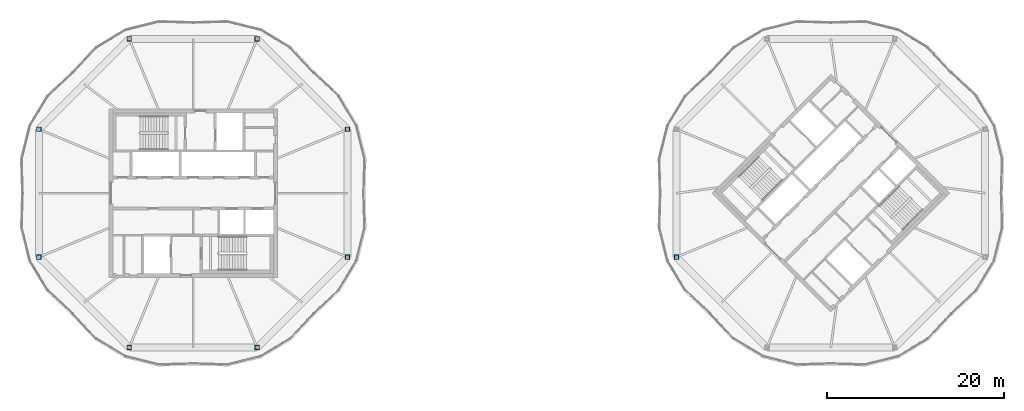
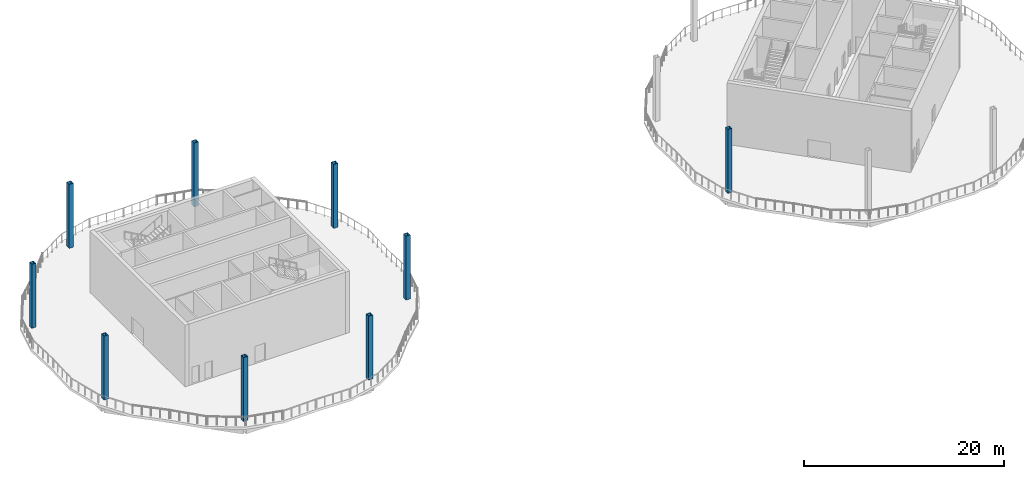
# One storey, part 1 of 12: 9 columns.
"""IFC4 building model written with IfcOpenShell, lengths in metres."""

from ifc_helpers import new_model, si_unit, direction, frame, origin, origin_2d, place, context, subcontext, project, spatial, hollow_rectangle, extrude, material, material_profile, profile_set, type_object, element, save


model = new_model("IFC4")

# Units and contexts
model_context = context("Model", 3, precision=1e-05, world=origin(), true_north=direction((0.0, 1.0)))
body_context = subcontext(model_context, "Body", "Model", "MODEL_VIEW")
ifc_project = project(units=[si_unit("LENGTHUNIT", "METRE"), si_unit("AREAUNIT", "SQUARE_METRE"), si_unit("VOLUMEUNIT", "CUBIC_METRE"), si_unit("PLANEANGLEUNIT", "RADIAN"), si_unit("MASSUNIT", "GRAM", prefix="KILO")], contexts=[model_context])

# Site, building, storey
site_placement = place(None, origin())
site = spatial("IfcSite", under=ifc_project, at=site_placement, CompositionType="ELEMENT")
building_placement = place(site_placement, origin())
building = spatial("IfcBuilding", under=site, at=building_placement, Name="Ogive Gate Towers", CompositionType="ELEMENT")
storey_placement = place(building_placement, frame((0.0, 0.0, 248.39990234375)))
storey = spatial("IfcBuildingStorey", under=building, at=storey_placement, Name="L59", CompositionType="ELEMENT", Elevation=248.39990234375)

# Columns
ifc_material = material(Name="Steel SM460", Category="steel")
ifc_material_profile = material_profile(ifc_material, hollow_rectangle(XDim=0.5, YDim=0.5, WallThickness=0.030029296875, at=origin_2d()), Name="BX 500x500x30")
ifc_profile_set = profile_set([ifc_material_profile], Name="Steel SM460")
column_type = type_object("IfcColumnType", Name="Perimeter post BX 500x500x30", PredefinedType="COLUMN", material=ifc_profile_set)
for number, where, z_axis, x_axis, name in (
    (1, (-18.57568359375, 7.217529296875, 0.0), (0.0, 0.0, 1.0), (1.0, 0.0, 0.0), "T1/L59/SCL001"),
    (2, (-28.782470703125, 17.42431640625, 0.0), (0.0, 0.0, 1.0), (1.0, 0.0, 0.0), "T1/L59/SCL002"),
    (3, (-43.217529296875, 17.42431640625, 0.0), (0.0, 0.0, 1.0), (1.0, 0.0, 0.0), "T1/L59/SCL003"),
    (4, (-53.42431640625, 7.217529296875, 0.0), (0.0, 0.0, 1.0), (1.0, 0.0, 0.0), "T1/L59/SCL004"),
    (5, (-53.42431640625, -7.217529296875, 0.0), (0.0, 0.0, 1.0), (1.0, 0.0, 0.0), "T1/L59/SCL005"),
    (6, (-43.217529296875, -17.42431640625, 0.0), (0.0, 0.0, 1.0), (1.0, 0.0, 0.0), "T1/L59/SCL006"),
    (7, (-28.782470703125, -17.42431640625, 0.0), (0.0, 0.0, 1.0), (1.0, 0.0, 0.0), "T1/L59/SCL007"),
    (8, (-18.57568359375, -7.217529296875, 0.0), (0.0, 0.0, 1.0), (1.0, 0.0, 0.0), "T1/L59/SCL008"),
    (9, (18.57568359375, -7.217529296875, 0.0), (0.0, 0.0, 1.0), (1.0, 0.0, 0.0), "T2/L59/SCL005"),
):
    element("IfcColumn", number, at=place(storey_placement, frame(where, z_axis=z_axis, x_axis=x_axis)), inside=storey, type_object=column_type, Name=name, PredefinedType="COLUMN", context=body_context, shape_type="SweptSolid", body=[
        extrude(hollow_rectangle(XDim=0.5, YDim=0.5, WallThickness=0.030029296875, at=origin_2d()), origin(), (0.0, 0.0, 1.0), 7.800048828125),
    ])

save(model, "model.ifc")
